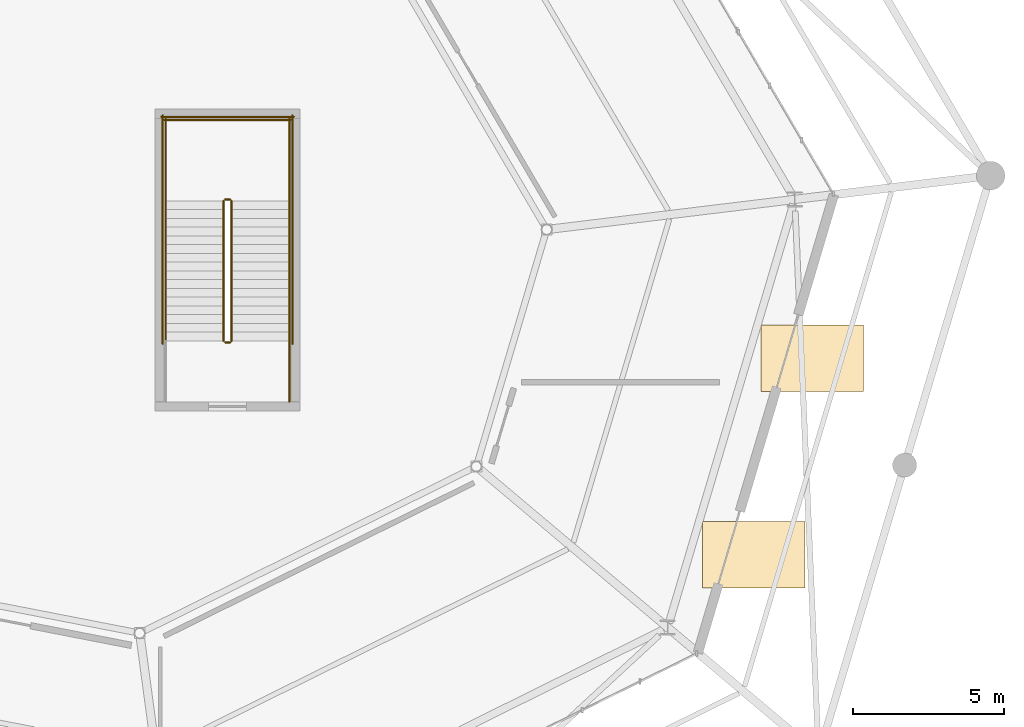
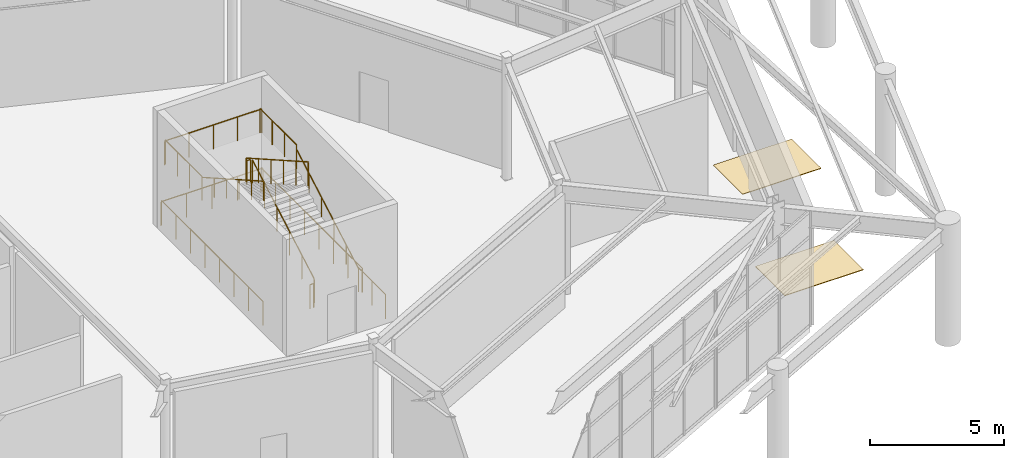
# One storey, part 70 of 70: 13 railings, 2 coverings.
"""IFC4 building model written with IfcOpenShell, lengths in metres."""

from ifc_helpers import new_model, si_unit, direction, frame, origin, origin_2d, place, context, subcontext, project, spatial, rectangle, circle, extrude, material, layer, layer_set, type_object, element, save


model = new_model("IFC4")

# Units and contexts
model_context = context("Model", 3, precision=1e-05, world=origin(), true_north=direction((0.0, 1.0)))
body_context = subcontext(model_context, "Body", "Model", "MODEL_VIEW")
ifc_project = project(units=[si_unit("LENGTHUNIT", "METRE"), si_unit("AREAUNIT", "SQUARE_METRE"), si_unit("VOLUMEUNIT", "CUBIC_METRE"), si_unit("PLANEANGLEUNIT", "RADIAN"), si_unit("MASSUNIT", "GRAM", prefix="KILO")], contexts=[model_context])

# Site, building, storey
site_placement = place(None, origin())
site = spatial("IfcSite", under=ifc_project, at=site_placement, CompositionType="ELEMENT")
building_placement = place(site_placement, origin())
building = spatial("IfcBuilding", under=site, at=building_placement, Name="Sarnbrook Museum", CompositionType="ELEMENT")
storey_placement = place(building_placement, origin())
storey = spatial("IfcBuildingStorey", under=building, at=storey_placement, Name="L00", CompositionType="ELEMENT", Elevation=0.0)

# Railings
ifc_material_1 = material(Name="Brushed Stainless Steel Grade 316", Category="steel")
ifc_layer_1 = layer(ifc_material_1, 0.050048828125)
ifc_layer_set_1 = layer_set([ifc_layer_1], Name="Brushed Stainless Steel Grade 316")
railing_type_1 = type_object("IfcRailingType", Name="Guard_Int1120", PredefinedType="BALUSTRADE", material=ifc_layer_set_1)
railing_1_placement = place(storey_placement, frame((143.929931640625, 82.52001953125, 0.164794921875)))
element("IfcRailing", 1, at=railing_1_placement, inside=storey, type_object=railing_type_1, Name="L00 ST7 stair guard 1", PredefinedType="BALUSTRADE", context=body_context, shape_type="SweptSolid", body=[
    extrude(circle(Radius=0.02392578125, at=origin_2d()), frame((0.0, 0.0, 1.09619140625), z_axis=(0.0, 0.869540958685, 0.493860831783), x_axis=(-1.0, 0.0, 0.0)), (0.0, 0.0, 1.0), 5.3359375),
    extrude(circle(Radius=0.02099609375, at=origin_2d()), origin(), (0.0, 0.0, 1.0), 1.072021484375),
    extrude(circle(Radius=0.02099609375, at=origin_2d()), frame((0.0, 0.927978515625, 0.527099609375)), (0.0, 0.0, 1.0), 1.072021484375),
    extrude(circle(Radius=0.02099609375, at=origin_2d()), frame((0.0, 1.85595703125, 1.05419921875)), (0.0, 0.0, 1.0), 1.072021484375),
    extrude(circle(Radius=0.02099609375, at=origin_2d()), frame((0.0, 2.783935546875, 1.5810546875)), (0.0, 0.0, 1.0), 1.072021484375),
    extrude(circle(Radius=0.02099609375, at=origin_2d()), frame((0.0, 3.7119140625, 2.108154296875)), (0.0, 0.0, 1.0), 1.072021484375),
    extrude(circle(Radius=0.02099609375, at=origin_2d()), frame((0.0, 4.639892578125, 2.63525390625)), (0.0, 0.0, 1.0), 1.072021484375),
])
railing_2_placement = place(storey_placement, frame((143.8798828125, 87.2099609375, 2.800048828125)))
element("IfcRailing", 2, at=railing_2_placement, inside=storey, type_object=railing_type_1, Name="L00 ST7 stair guard 2", PredefinedType="BALUSTRADE", context=body_context, shape_type="SweptSolid", body=[
    extrude(circle(Radius=0.02392578125, at=origin_2d()), frame((0.0, 0.0, 1.09619140625), z_axis=(-1.0, 0.0, 0.0), x_axis=(0.0, -1.0, 0.0)), (0.0, 0.0, 1.0), 0.159912109375),
    extrude(circle(Radius=0.02099609375, at=origin_2d()), origin(), (0.0, 0.0, 1.0), 1.072021484375),
    extrude(circle(Radius=0.02099609375, at=origin_2d()), frame((-0.159912109375, 0.0, 0.0)), (0.0, 0.0, 1.0), 1.072021484375),
])
for number, where, name in (
    (3, (145.85009765625, 87.159912109375, 2.800048828125), "L00 ST7 stair guard 3"),
    (4, (141.75, 87.159912109375, 2.800048828125), "L00 ST7 stair guard 4"),
):
    element("IfcRailing", number, at=place(storey_placement, frame(where)), inside=storey, type_object=railing_type_1, Name=name, PredefinedType="BALUSTRADE", context=body_context, shape_type="SweptSolid", body=[
        extrude(circle(Radius=0.02392578125, at=origin_2d()), frame((0.0, 0.0, 1.09619140625), z_axis=(0.0, 1.0, 0.0), x_axis=(-1.0, 0.0, 0.0)), (0.0, 0.0, 1.0), 2.739990234375),
        extrude(circle(Radius=0.02099609375, at=origin_2d()), origin(), (0.0, 0.0, 1.0), 1.072021484375),
        extrude(circle(Radius=0.02099609375, at=origin_2d()), frame((0.0, 0.913330078125, 0.0)), (0.0, 0.0, 1.0), 1.072021484375),
        extrude(circle(Radius=0.02099609375, at=origin_2d()), frame((0.0, 1.82666015625, 0.0)), (0.0, 0.0, 1.0), 1.072021484375),
        extrude(circle(Radius=0.02099609375, at=origin_2d()), frame((0.0, 2.739990234375, 0.0)), (0.0, 0.0, 1.0), 1.072021484375),
    ])
railing_3_placement = place(storey_placement, frame((145.89990234375, 89.85009765625, 2.800048828125)))
element("IfcRailing", 5, at=railing_3_placement, inside=storey, type_object=railing_type_1, Name="L00 ST7 stair guard 5", PredefinedType="BALUSTRADE", context=body_context, shape_type="SweptSolid", body=[
    extrude(circle(Radius=0.02392578125, at=origin_2d()), frame((0.0, 0.0, 1.09619140625), z_axis=(-1.0, 0.0, 0.0), x_axis=(0.0, -1.0, 0.0)), (0.0, 0.0, 1.0), 4.199951171875),
    extrude(circle(Radius=0.02099609375, at=origin_2d()), origin(), (0.0, 0.0, 1.0), 1.072021484375),
    extrude(circle(Radius=0.02099609375, at=origin_2d()), frame((-1.050048828125, 0.0, 0.0)), (0.0, 0.0, 1.0), 1.072021484375),
    extrude(circle(Radius=0.02099609375, at=origin_2d()), frame((-2.10009765625, 0.0, 0.0)), (0.0, 0.0, 1.0), 1.072021484375),
    extrude(circle(Radius=0.02099609375, at=origin_2d()), frame((-3.14990234375, 0.0, 0.0)), (0.0, 0.0, 1.0), 1.072021484375),
    extrude(circle(Radius=0.02099609375, at=origin_2d()), frame((-4.199951171875, 0.0, 0.0)), (0.0, 0.0, 1.0), 1.072021484375),
])
railing_4_placement = place(storey_placement, frame((143.669921875, 87.159912109375, 2.964599609375)))
element("IfcRailing", 6, at=railing_4_placement, inside=storey, type_object=railing_type_1, Name="L00 ST7 stair guard 6", PredefinedType="BALUSTRADE", context=body_context, shape_type="SweptSolid", body=[
    extrude(circle(Radius=0.02392578125, at=origin_2d()), frame((0.0, 0.0, 1.09619140625), z_axis=(0.0, -0.869521310511, 0.493895424728), x_axis=(1.0, 0.0, 0.0)), (0.0, 0.0, 1.0), 5.336181640625),
    extrude(circle(Radius=0.02099609375, at=origin_2d()), origin(), (0.0, 0.0, 1.0), 1.072021484375),
    extrude(circle(Radius=0.02099609375, at=origin_2d()), frame((0.0, -0.927978515625, 0.527099609375)), (0.0, 0.0, 1.0), 1.072021484375),
    extrude(circle(Radius=0.02099609375, at=origin_2d()), frame((0.0, -1.85595703125, 1.05419921875)), (0.0, 0.0, 1.0), 1.072021484375),
    extrude(circle(Radius=0.02099609375, at=origin_2d()), frame((0.0, -2.783935546875, 1.581298828125)), (0.0, 0.0, 1.0), 1.072021484375),
    extrude(circle(Radius=0.02099609375, at=origin_2d()), frame((0.0, -3.7119140625, 2.1083984375)), (0.0, 0.0, 1.0), 1.072021484375),
    extrude(circle(Radius=0.02099609375, at=origin_2d()), frame((0.0, -4.639892578125, 2.635498046875)), (0.0, 0.0, 1.0), 1.072021484375),
])
railing_5_placement = place(storey_placement, frame((143.8798828125, 82.469970703125, 0.0)))
element("IfcRailing", 7, at=railing_5_placement, inside=storey, type_object=railing_type_1, Name="L00 ST7 stair guard 7", PredefinedType="BALUSTRADE", context=body_context, shape_type="SweptSolid", body=[
    extrude(circle(Radius=0.02392578125, at=origin_2d()), frame((0.0, 0.0, 1.09619140625), z_axis=(-1.0, 0.0, 0.0), x_axis=(0.0, -1.0, 0.0)), (0.0, 0.0, 1.0), 0.159912109375),
    extrude(circle(Radius=0.02099609375, at=origin_2d()), origin(), (0.0, 0.0, 1.0), 1.072021484375),
    extrude(circle(Radius=0.02099609375, at=origin_2d()), frame((-0.159912109375, 0.0, 0.0)), (0.0, 0.0, 1.0), 1.072021484375),
])
railing_6_placement = place(storey_placement, frame((145.85009765625, 80.5, 0.0)))
element("IfcRailing", 8, at=railing_6_placement, inside=storey, type_object=railing_type_1, Name="L00 ST7 stair guard 8", PredefinedType="BALUSTRADE", context=body_context, shape_type="SweptSolid", body=[
    extrude(circle(Radius=0.02392578125, at=origin_2d()), frame((0.0, 0.0, 1.09619140625), z_axis=(0.0, 1.0, 0.0), x_axis=(-1.0, 0.0, 0.0)), (0.0, 0.0, 1.0), 2.02001953125),
    extrude(circle(Radius=0.02099609375, at=origin_2d()), origin(), (0.0, 0.0, 1.0), 1.072021484375),
    extrude(circle(Radius=0.02099609375, at=origin_2d()), frame((0.0, 1.010009765625, 0.0)), (0.0, 0.0, 1.0), 1.072021484375),
    extrude(circle(Radius=0.02099609375, at=origin_2d()), frame((0.0, 2.02001953125, 0.0)), (0.0, 0.0, 1.0), 1.072021484375),
])
for number, where, name in (
    (9, (145.949951171875, 82.419921875, 0.0), "L00 ST7 stair guard 10"),
    (10, (141.64990234375, 82.419921875, 0.0), "L00 ST7 stair guard 11"),
):
    element("IfcRailing", number, at=place(storey_placement, frame(where)), inside=storey, type_object=railing_type_1, Name=name, PredefinedType="BALUSTRADE", context=body_context, shape_type="SweptSolid", body=[
        extrude(circle(Radius=0.02392578125, at=origin_2d()), frame((0.0, 0.0, 1.09619140625), z_axis=(0.0, 1.0, 0.0), x_axis=(-1.0, 0.0, 0.0)), (0.0, 0.0, 1.0), 7.580078125),
        extrude(circle(Radius=0.02099609375, at=origin_2d()), origin(), (0.0, 0.0, 1.0), 1.072021484375),
        extrude(circle(Radius=0.02099609375, at=origin_2d()), frame((0.0, 1.082763671875, 0.0)), (0.0, 0.0, 1.0), 1.072021484375),
        extrude(circle(Radius=0.02099609375, at=origin_2d()), frame((0.0, 2.165771484375, 0.0)), (0.0, 0.0, 1.0), 1.072021484375),
        extrude(circle(Radius=0.02099609375, at=origin_2d()), frame((0.0, 3.24853515625, 0.0)), (0.0, 0.0, 1.0), 1.072021484375),
        extrude(circle(Radius=0.02099609375, at=origin_2d()), frame((0.0, 4.33154296875, 0.0)), (0.0, 0.0, 1.0), 1.072021484375),
        extrude(circle(Radius=0.02099609375, at=origin_2d()), frame((0.0, 5.414306640625, 0.0)), (0.0, 0.0, 1.0), 1.072021484375),
        extrude(circle(Radius=0.02099609375, at=origin_2d()), frame((0.0, 6.497314453125, 0.0)), (0.0, 0.0, 1.0), 1.072021484375),
        extrude(circle(Radius=0.02099609375, at=origin_2d()), frame((0.0, 7.580078125, 0.0)), (0.0, 0.0, 1.0), 1.072021484375),
    ])
railing_7_placement = place(storey_placement, frame((146.0, 89.949951171875, 0.0)))
element("IfcRailing", 11, at=railing_7_placement, inside=storey, type_object=railing_type_1, Name="L00 ST7 stair guard 12", PredefinedType="BALUSTRADE", context=body_context, shape_type="SweptSolid", body=[
    extrude(circle(Radius=0.02392578125, at=origin_2d()), frame((0.0, 0.0, 1.09619140625), z_axis=(-1.0, 0.0, 0.0), x_axis=(0.0, -1.0, 0.0)), (0.0, 0.0, 1.0), 4.39990234375),
    extrude(circle(Radius=0.02099609375, at=origin_2d()), origin(), (0.0, 0.0, 1.0), 1.072021484375),
    extrude(circle(Radius=0.02099609375, at=origin_2d()), frame((-1.10009765625, 0.0, 0.0)), (0.0, 0.0, 1.0), 1.072021484375),
    extrude(circle(Radius=0.02099609375, at=origin_2d()), frame((-2.199951171875, 0.0, 0.0)), (0.0, 0.0, 1.0), 1.072021484375),
    extrude(circle(Radius=0.02099609375, at=origin_2d()), frame((-3.2998046875, 0.0, 0.0)), (0.0, 0.0, 1.0), 1.072021484375),
    extrude(circle(Radius=0.02099609375, at=origin_2d()), frame((-4.39990234375, 0.0, 0.0)), (0.0, 0.0, 1.0), 1.072021484375),
])
ifc_layer_2 = layer(ifc_material_1, 0.048095703125)
ifc_layer_set_2 = layer_set([ifc_layer_2], Name="Brushed Stainless Steel Grade 316")
railing_type_2 = type_object("IfcRailingType", Name="Handrail_920", PredefinedType="HANDRAIL", material=ifc_layer_set_2)
railing_8_placement = place(storey_placement, frame((145.85009765625, 82.52001953125, 0.164794921875)))
element("IfcRailing", 12, at=railing_8_placement, inside=storey, type_object=railing_type_2, Name="L00 ST7 stair handrail 1", PredefinedType="HANDRAIL", context=body_context, shape_type="SweptSolid", body=[
    extrude(circle(Radius=0.02392578125, at=origin_2d()), frame((0.0, 0.0, 0.8857421875), z_axis=(0.0, 0.869540958685, 0.493860831783), x_axis=(-1.0, 0.0, 0.0)), (0.0, 0.0, 1.0), 5.3359375),
    extrude(circle(Radius=0.02099609375, at=origin_2d()), origin(), (0.0, 0.0, 1.0), 0.86181640625),
    extrude(circle(Radius=0.02099609375, at=origin_2d()), frame((0.0, 0.927978515625, 0.527099609375)), (0.0, 0.0, 1.0), 0.86181640625),
    extrude(circle(Radius=0.02099609375, at=origin_2d()), frame((0.0, 1.85595703125, 1.05419921875)), (0.0, 0.0, 1.0), 0.86181640625),
    extrude(circle(Radius=0.02099609375, at=origin_2d()), frame((0.0, 2.783935546875, 1.5810546875)), (0.0, 0.0, 1.0), 0.86181640625),
    extrude(circle(Radius=0.02099609375, at=origin_2d()), frame((0.0, 3.7119140625, 2.108154296875)), (0.0, 0.0, 1.0), 0.86181640625),
    extrude(circle(Radius=0.02099609375, at=origin_2d()), frame((0.0, 4.639892578125, 2.63525390625)), (0.0, 0.0, 1.0), 0.86181640625),
])
railing_9_placement = place(storey_placement, frame((141.75, 87.159912109375, 2.964599609375)))
element("IfcRailing", 13, at=railing_9_placement, inside=storey, type_object=railing_type_2, Name="L00 ST7 stair handrail 2", PredefinedType="HANDRAIL", context=body_context, shape_type="SweptSolid", body=[
    extrude(circle(Radius=0.02392578125, at=origin_2d()), frame((0.0, 0.0, 0.8857421875), z_axis=(0.0, -0.869521310511, 0.493895424728), x_axis=(1.0, 0.0, 0.0)), (0.0, 0.0, 1.0), 5.336181640625),
    extrude(circle(Radius=0.02099609375, at=origin_2d()), origin(), (0.0, 0.0, 1.0), 0.86181640625),
    extrude(circle(Radius=0.02099609375, at=origin_2d()), frame((0.0, -0.927978515625, 0.527099609375)), (0.0, 0.0, 1.0), 0.86181640625),
    extrude(circle(Radius=0.02099609375, at=origin_2d()), frame((0.0, -1.85595703125, 1.05419921875)), (0.0, 0.0, 1.0), 0.86181640625),
    extrude(circle(Radius=0.02099609375, at=origin_2d()), frame((0.0, -2.783935546875, 1.581298828125)), (0.0, 0.0, 1.0), 0.86181640625),
    extrude(circle(Radius=0.02099609375, at=origin_2d()), frame((0.0, -3.7119140625, 2.1083984375)), (0.0, 0.0, 1.0), 0.86181640625),
    extrude(circle(Radius=0.02099609375, at=origin_2d()), frame((0.0, -4.639892578125, 2.635498046875)), (0.0, 0.0, 1.0), 0.86181640625),
])

# Coverings
ifc_material_2 = material(Name="Victorian Bluestone Ashlar Masonry", Category="masonry")
ifc_layer_3 = layer(ifc_material_2, 0.030029296875)
ifc_layer_set_3 = layer_set([ifc_layer_3], Name="Victorian Bluestone Ashlar Masonry")
covering_type = type_object("IfcCoveringType", Name="Paving_BluestoneApron", PredefinedType="FLOORING", material=ifc_layer_set_3)
for number, where, z_axis, x_axis, name in (
    (14, (161.247802734375, 75.429931640625, -0.02978515625), (0.0, 0.0, 1.0), (1.0, 0.0, 0.0), "Exterior Bluestone Entry Paving 01"),
    (15, (163.18310546875, 81.948486328125, -0.02978515625), (0.0, 0.0, 1.0), (1.0, 0.0, 0.0), "Exterior Bluestone Entry Paving 02"),
):
    element("IfcCovering", number, at=place(storey_placement, frame(where, z_axis=z_axis, x_axis=x_axis)), inside=storey, type_object=covering_type, Name=name, PredefinedType="FLOORING", context=body_context, shape_type="SweptSolid", body=[
        extrude(rectangle(XDim=3.39990234375, YDim=2.199951171875, at=origin_2d()), origin(), (0.0, 0.0, 1.0), 0.030029296875),
    ])

save(model, "model.ifc")
